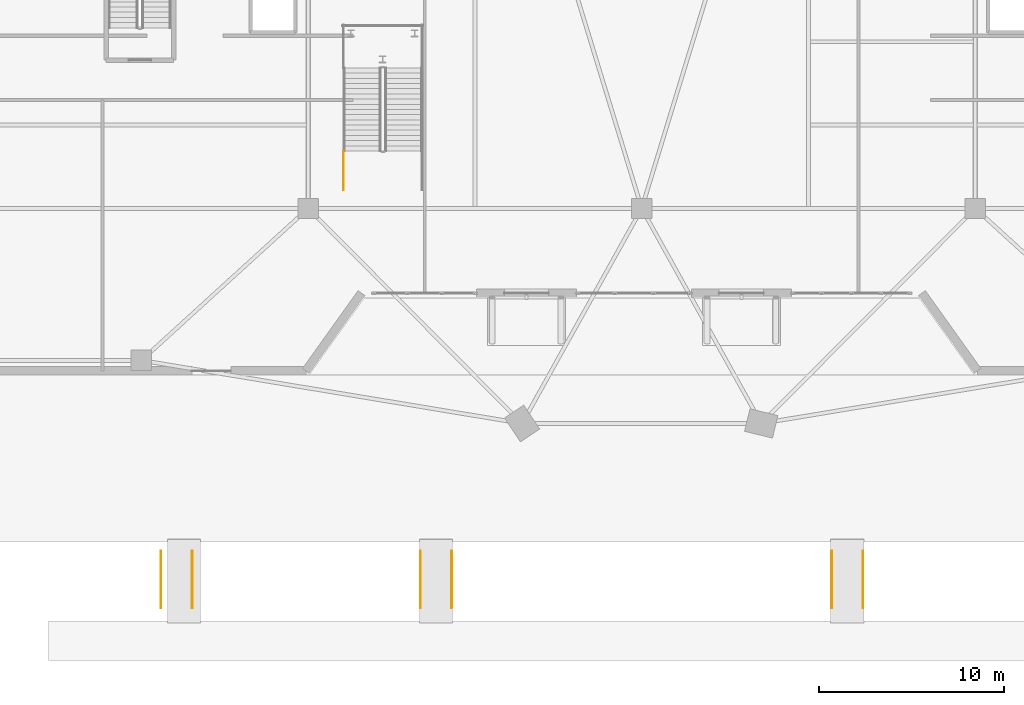
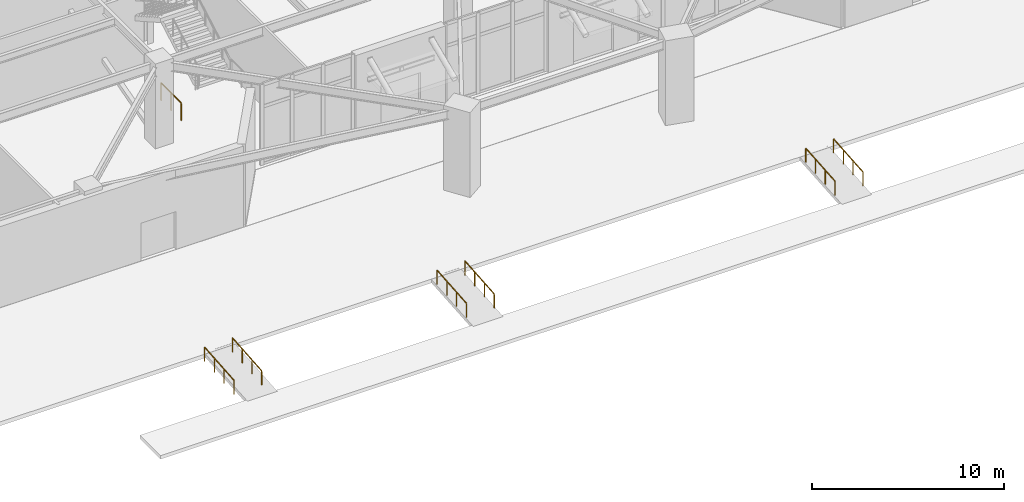
# One storey, part 24 of 30: 7 railings.
"""IFC4 building model written with IfcOpenShell, lengths in metres."""

from ifc_helpers import new_model, si_unit, direction, frame, origin, origin_2d, place, context, subcontext, project, spatial, rectangle, extrude, material, type_object, element, save


model = new_model("IFC4")

# Units and contexts
model_context = context("Model", 3, precision=1e-05, world=origin(), true_north=direction((0.0, 1.0)))
body_context = subcontext(model_context, "Body", "Model", "MODEL_VIEW")
ifc_project = project(units=[si_unit("LENGTHUNIT", "METRE"), si_unit("AREAUNIT", "SQUARE_METRE"), si_unit("VOLUMEUNIT", "CUBIC_METRE"), si_unit("PLANEANGLEUNIT", "RADIAN"), si_unit("MASSUNIT", "GRAM", prefix="KILO")], contexts=[model_context])

# Site, building, storey
site_placement = place(None, origin())
site = spatial("IfcSite", under=ifc_project, at=site_placement, CompositionType="ELEMENT")
building_placement = place(site_placement, origin())
building = spatial("IfcBuilding", under=site, at=building_placement, Name="Liaohun Quay Tower", CompositionType="ELEMENT")
storey_placement = place(building_placement, origin())
storey = spatial("IfcBuildingStorey", under=building, at=storey_placement, Name="L01", CompositionType="ELEMENT", Elevation=0.0)

# Railings
ifc_material_1 = material(Name="Laminated safety glass and stainless steel", Category="steel")
railing_type_1 = type_object("IfcRailingType", Name="RLG-GUARD-ATR", PredefinedType="BALUSTRADE", material=ifc_material_1)
railing_placement = place(storey_placement, frame((43.909912109375, 25.0, 0.0)))
element("IfcRailing", 1, at=railing_placement, inside=storey, type_object=railing_type_1, Name="L01 ST-A stair guard 9", PredefinedType="BALUSTRADE", context=body_context, shape_type="SweptSolid", body=[
    extrude(rectangle(XDim=0.048095703125, YDim=0.048095703125, at=origin_2d()), frame((0.0, 0.0, 1.1259765625), z_axis=(0.0, 1.0, 0.0), x_axis=(-1.0, 0.0, 0.0)), (0.0, 0.0, 1.0), 2.10009765625),
    extrude(rectangle(XDim=0.0419921875, YDim=0.0419921875, at=origin_2d()), origin(), (0.0, 0.0, 1.0), 1.101806640625),
    extrude(rectangle(XDim=0.0419921875, YDim=0.0419921875, at=origin_2d()), frame((0.0, 1.050048828125, 0.0)), (0.0, 0.0, 1.0), 1.101806640625),
    extrude(rectangle(XDim=0.0419921875, YDim=0.0419921875, at=origin_2d()), frame((0.0, 2.10009765625, 0.0)), (0.0, 0.0, 1.0), 1.101806640625),
])
ifc_material_2 = material(Name="Brushed stainless steel", Category="steel")
railing_type_2 = type_object("IfcRailingType", Name="RLG-HND-STR", PredefinedType="HANDRAIL", material=ifc_material_2)
for number, where, name in (
    (2, (34.06005859375, 2.449951171875, -0.300048828125), "L01 Accessible Promenade Ramp Handrail 1-1"),
    (3, (35.739990234375, 2.449951171875, -0.300048828125), "L01 Accessible Promenade Ramp Handrail 1-2"),
    (4, (48.06005859375, 2.449951171875, -0.300048828125), "L01 Accessible Promenade Ramp Handrail 2-1"),
    (5, (49.739990234375, 2.449951171875, -0.300048828125), "L01 Accessible Promenade Ramp Handrail 2-2"),
    (6, (70.260009765625, 2.449951171875, -0.300048828125), "L01 Accessible Promenade Ramp Handrail 3-1"),
    (7, (71.93994140625, 2.449951171875, -0.300048828125), "L01 Accessible Promenade Ramp Handrail 3-2"),
):
    element("IfcRailing", number, at=place(storey_placement, frame(where)), inside=storey, type_object=railing_type_2, Name=name, PredefinedType="HANDRAIL", context=body_context, shape_type="SweptSolid", body=[
        extrude(rectangle(XDim=0.048095703125, YDim=0.048095703125, at=origin_2d()), frame((0.0, 0.0, 0.89599609375), z_axis=(0.0, 0.996657627715, 0.081691940349), x_axis=(-1.0, 0.0, 0.0)), (0.0, 0.0, 1.0), 3.060302734375),
        extrude(rectangle(XDim=0.0419921875, YDim=0.0419921875, at=origin_2d()), origin(), (0.0, 0.0, 1.0), 0.871826171875),
        extrude(rectangle(XDim=0.0419921875, YDim=0.0419921875, at=origin_2d()), frame((0.0, 1.0166015625, 0.083251953125)), (0.0, 0.0, 1.0), 0.871826171875),
        extrude(rectangle(XDim=0.0419921875, YDim=0.0419921875, at=origin_2d()), frame((0.0, 2.033447265625, 0.166748046875)), (0.0, 0.0, 1.0), 0.871826171875),
        extrude(rectangle(XDim=0.0419921875, YDim=0.0419921875, at=origin_2d()), frame((0.0, 3.050048828125, 0.25)), (0.0, 0.0, 1.0), 0.871826171875),
    ])

save(model, "model.ifc")
